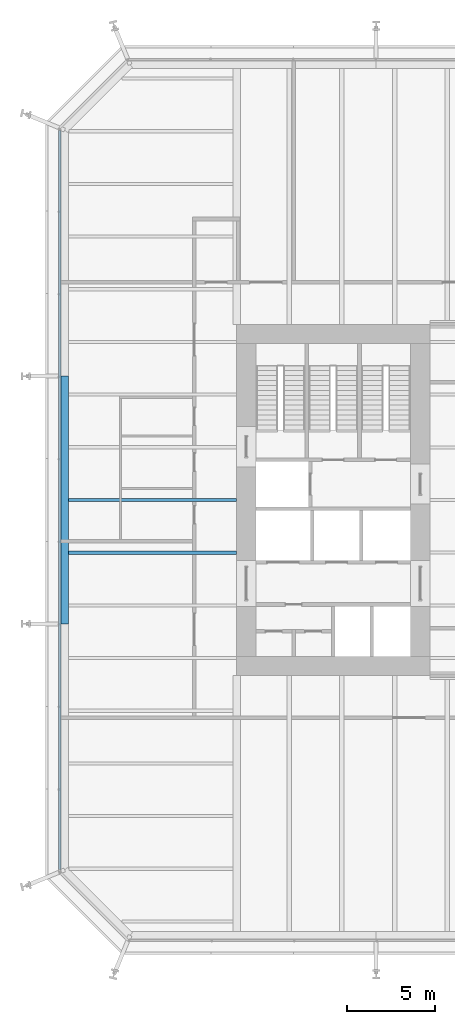
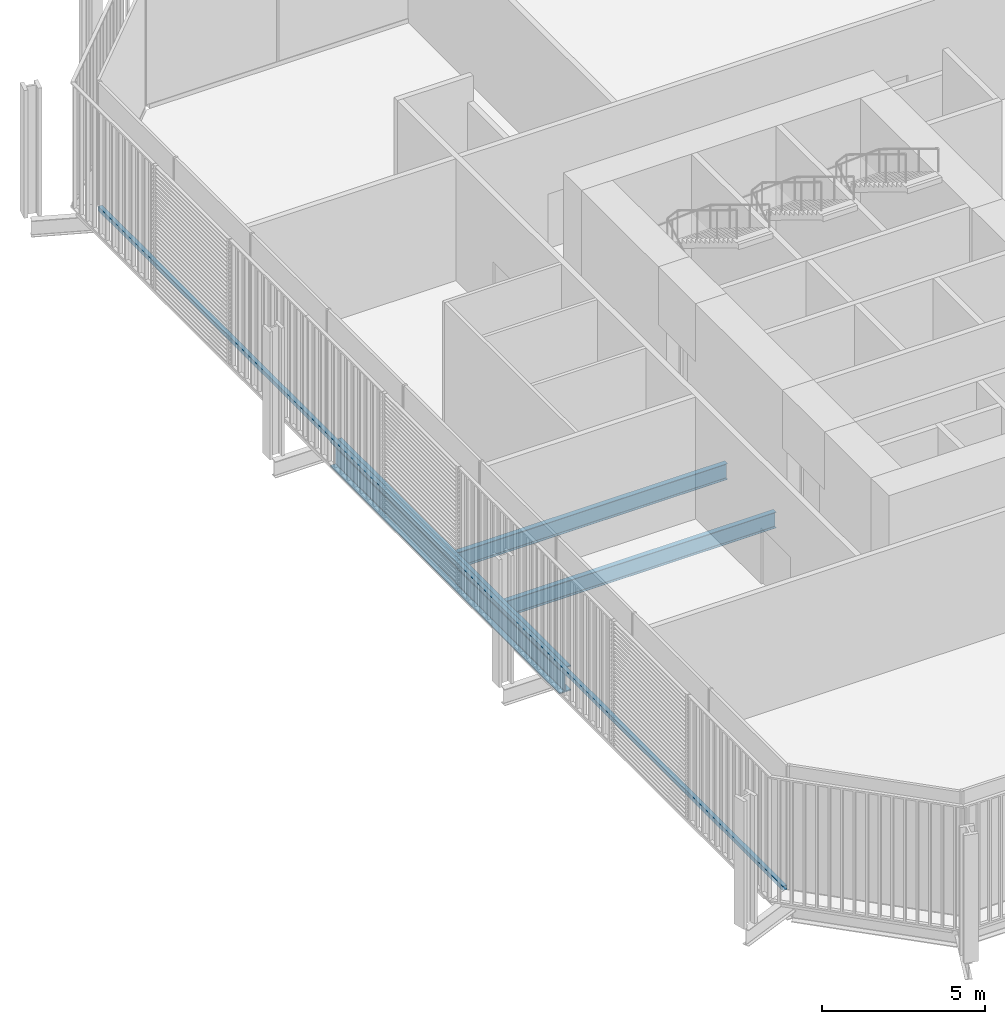
# One storey, part 6 of 22: 3 beams, 1 member, 1 element without a shape of its own.
"""IFC4 building model written with IfcOpenShell, lengths in metres."""

from ifc_helpers import new_model, si_unit, direction, frame, origin, origin_2d, place, context, subcontext, project, spatial, rectangle, i_section, extrude, material, layer, layer_set, material_profile, profile_set, type_object, element, aggregate, save


model = new_model("IFC4")

# Units and contexts
model_context = context("Model", 3, precision=1e-05, world=origin(), true_north=direction((0.0, 1.0)))
body_context = subcontext(model_context, "Body", "Model", "MODEL_VIEW")
ifc_project = project(units=[si_unit("LENGTHUNIT", "METRE"), si_unit("AREAUNIT", "SQUARE_METRE"), si_unit("VOLUMEUNIT", "CUBIC_METRE"), si_unit("PLANEANGLEUNIT", "RADIAN"), si_unit("MASSUNIT", "GRAM", prefix="KILO")], contexts=[model_context])

# Site, building, storey
site_placement = place(None, origin())
site = spatial("IfcSite", under=ifc_project, at=site_placement, CompositionType="ELEMENT")
building_placement = place(site_placement, origin())
building = spatial("IfcBuilding", under=site, at=building_placement, Name="Millrace Tower", CompositionType="ELEMENT")
storey_placement = place(building_placement, frame((0.0, 0.0, 49.699951171875)))
storey = spatial("IfcBuildingStorey", under=building, at=storey_placement, Name="L11", CompositionType="ELEMENT", Elevation=49.699951171875)

# Curtain wall, member
ifc_material_1 = material(Name="Aluminium and glass", Category="aluminium")
ifc_layer = layer(ifc_material_1, 0.14990234375)
ifc_layer_set = layer_set([ifc_layer], Name="Aluminium and glass")
curtain_wall_type = type_object("IfcCurtainWallType", Name="CW-2 data hall insulated curtain wall", PredefinedType="NOTDEFINED", material=ifc_layer_set)
curtain_wall_placement = place(storey_placement, origin())
curtain_wall = element("IfcCurtainWall", 1, at=curtain_wall_placement, inside=storey, type_object=curtain_wall_type, Name="Curtain wall A-F08 L11", PredefinedType="NOTDEFINED")
ifc_material_2 = material(Name="Aluminium", Category="aluminium")
ifc_material_profile_1 = material_profile(ifc_material_2, rectangle(XDim=0.14990234375, YDim=0.159912109375, at=origin_2d()))
ifc_profile_set_1 = profile_set([ifc_material_profile_1], Name="Aluminium")
member_type = type_object("IfcMemberType", Name="CW-2 data hall insulated curtain wall transom", PredefinedType="USERDEFINED", material=ifc_profile_set_1)
member_placement = place(storey_placement, frame((-25.074951171875, 21.050048828125, 0.080078125), z_axis=(0.0, -1.0, 0.0), x_axis=(1.0, 0.0, 0.0)))
member = element("IfcMember", 2, at=member_placement, type_object=member_type, Name="CW2 transom A-F08.1", ObjectType="TRANSOM", PredefinedType="USERDEFINED", context=body_context, shape_type="SweptSolid", body=[
    extrude(rectangle(XDim=0.14990234375, YDim=0.159912109375, at=origin_2d()), origin(), (0.0, 0.0, 1.0), 42.10009765625),
])
aggregate(curtain_wall, [member])

# Beams
ifc_material_3 = material(Name="Steel ASTM A992 Grade 50", Category="steel")
ifc_material_profile_2 = material_profile(ifc_material_3, i_section(OverallWidth=0.1787109375, OverallDepth=0.60205078125, WebThickness=0.010986328125, FlangeThickness=0.014892578125, FilletRadius=0.0126953125, at=origin_2d()))
ifc_profile_set_2 = profile_set([ifc_material_profile_2], Name="Steel ASTM A992 Grade 50")
beam_type_1 = type_object("IfcBeamType", Name="Floor beam W24x62", PredefinedType="JOIST", material=ifc_profile_set_2)
for number, where, z_axis, x_axis, name in (
    (3, (-24.578369140625, -3.0, -0.52587890625), (1.0, 0.0, 0.0), (0.0, 1.0, 0.0), "BM-A-L11-S1-S018"),
    (4, (-24.578369140625, 0.0, -0.52587890625), (1.0, 0.0, 0.0), (0.0, 1.0, 0.0), "BM-A-L11-S1-S021"),
):
    element("IfcBeam", number, at=place(storey_placement, frame(where, z_axis=z_axis, x_axis=x_axis)), inside=storey, type_object=beam_type_1, Name=name, PredefinedType="JOIST", context=body_context, shape_type="SweptSolid", body=[
        extrude(i_section(OverallWidth=0.1787109375, OverallDepth=0.60205078125, WebThickness=0.010986328125, FlangeThickness=0.014892578125, FilletRadius=0.0126953125, at=origin_2d()), origin(), (0.0, 0.0, 1.0), 9.578369140625),
    ])
ifc_material_4 = material(Name="Steel ASTM A992 Grade 50", Category="steel")
ifc_material_profile_3 = material_profile(ifc_material_4, i_section(OverallWidth=0.421630859375, OverallDepth=0.937255859375, WebThickness=0.021240234375, FlangeThickness=0.03662109375, FilletRadius=0.024169921875, at=origin_2d()))
ifc_profile_set_3 = profile_set([ifc_material_profile_3], Name="Steel ASTM A992 Grade 50")
beam_type_2 = type_object("IfcBeamType", Name="Ring beam medium span W36x262", PredefinedType="SPANDREL", material=ifc_profile_set_3)
beam_placement = place(storey_placement, frame((-24.7890625, -7.050048828125, -0.693603515625), z_axis=(0.0, 1.0, 0.0), x_axis=(-1.0, 0.0, 0.0)))
element("IfcBeam", 5, at=beam_placement, inside=storey, type_object=beam_type_2, Name="RNG-A-L11-S1-02", PredefinedType="SPANDREL", context=body_context, shape_type="SweptSolid", body=[
    extrude(i_section(OverallWidth=0.421630859375, OverallDepth=0.937255859375, WebThickness=0.021240234375, FlangeThickness=0.03662109375, FilletRadius=0.024169921875, at=origin_2d()), origin(), (0.0, 0.0, 1.0), 14.10009765625),
])

save(model, "model.ifc")
